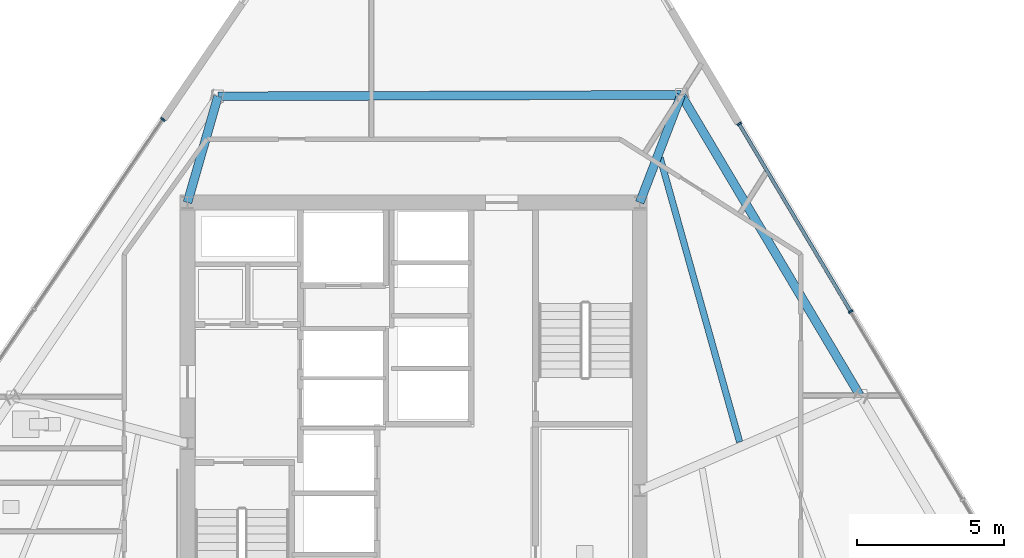
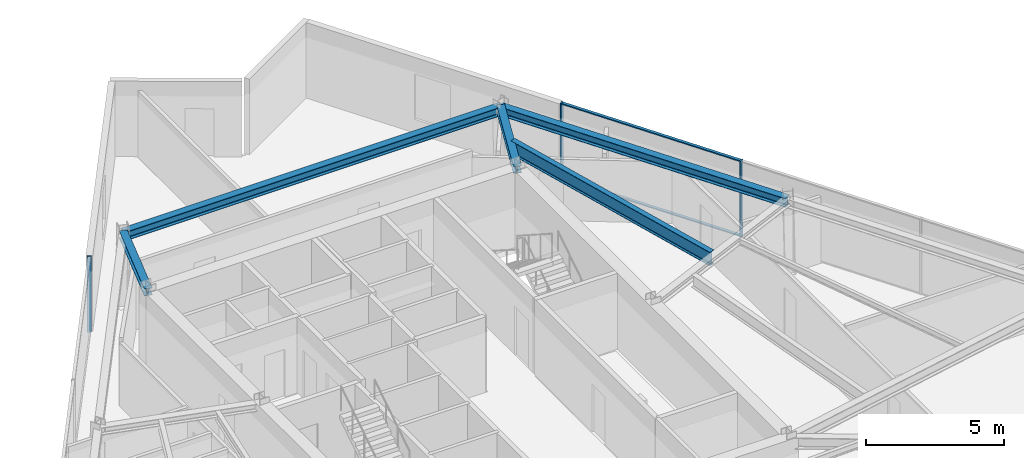
# One storey, part 6 of 14: 5 beams, 5 members, 2 elements without a shape of their own.
"""IFC4 building model written with IfcOpenShell, lengths in metres."""

from ifc_helpers import new_model, si_unit, direction, frame, origin, origin_2d, place, context, subcontext, project, spatial, rectangle, i_section, extrude, material, material_profile, profile_set, type_object, element, aggregate, save


model = new_model("IFC4")

# Units and contexts
model_context = context("Model", 3, precision=1e-05, world=origin(), true_north=direction((0.0, 1.0)))
body_context = subcontext(model_context, "Body", "Model", "MODEL_VIEW")
ifc_project = project(units=[si_unit("LENGTHUNIT", "METRE"), si_unit("AREAUNIT", "SQUARE_METRE"), si_unit("VOLUMEUNIT", "CUBIC_METRE"), si_unit("PLANEANGLEUNIT", "RADIAN"), si_unit("MASSUNIT", "GRAM", prefix="KILO")], contexts=[model_context])

# Site, building, storey
site_placement = place(None, origin())
site = spatial("IfcSite", under=ifc_project, at=site_placement, CompositionType="ELEMENT")
building_placement = place(site_placement, origin())
building = spatial("IfcBuilding", under=site, at=building_placement, Name="Savorim Split Tower", CompositionType="ELEMENT")
storey_placement = place(building_placement, frame((0.0, 0.0, 178.199951171875)))
storey = spatial("IfcBuildingStorey", under=building, at=storey_placement, Name="L47", CompositionType="ELEMENT", Elevation=178.199951171875)

# Beams
ifc_material_1 = material(Name="Steel S355", Category="steel")
ifc_material_profile_1 = material_profile(ifc_material_1, i_section(OverallWidth=0.219970703125, OverallDepth=0.60009765625, WebThickness=0.011962890625, FlangeThickness=0.01904296875, FilletRadius=0.02392578125, at=origin_2d()), Name="IPE 600")
ifc_profile_set_1 = profile_set([ifc_material_profile_1], Name="Steel S355")
beam_type_1 = type_object("IfcBeamType", Name="BM-JST-IPE600", PredefinedType="JOIST", material=ifc_profile_set_1)
beam_1_placement = place(storey_placement, frame((11.10107421875, 2.047119140625, 3.050048828125), z_axis=(-0.269391298823, 0.963030803307, 0.0), x_axis=(-0.963030803307, -0.269391298823, 0.0)))
element("IfcBeam", 1, at=beam_1_placement, inside=storey, type_object=beam_type_1, Name="L47 Secondary Floor Joist JS-07", PredefinedType="JOIST", context=body_context, shape_type="SweptSolid", body=[
    extrude(i_section(OverallWidth=0.219970703125, OverallDepth=0.60009765625, WebThickness=0.011962890625, FlangeThickness=0.01904296875, FilletRadius=0.02392578125, at=origin_2d()), origin(), (0.0, 0.0, 1.0), 10.056884765625),
])
ifc_material_profile_2 = material_profile(ifc_material_1, i_section(OverallWidth=0.300048828125, OverallDepth=0.320068359375, WebThickness=0.011474609375, FlangeThickness=0.0205078125, FilletRadius=0.027099609375, at=origin_2d()), Name="HEB 320")
ifc_profile_set_2 = profile_set([ifc_material_profile_2], Name="Steel S355")
beam_type_2 = type_object("IfcBeamType", Name="BM-PRI-HEB320", PredefinedType="BEAM", material=ifc_profile_set_2)
beam_2_placement = place(storey_placement, frame((9.110107421875, 13.86572265625, 3.18994140625), z_axis=(-0.359033227953, -0.933324777998, 0.0), x_axis=(0.933324777998, -0.359033227953, 0.0)))
element("IfcBeam", 2, at=beam_2_placement, inside=storey, type_object=beam_type_2, Name="L47 Primary Floor Girder RG-07", PredefinedType="BEAM", context=body_context, shape_type="SweptSolid", body=[
    extrude(i_section(OverallWidth=0.300048828125, OverallDepth=0.320068359375, WebThickness=0.011474609375, FlangeThickness=0.0205078125, FilletRadius=0.027099609375, at=origin_2d()), origin(), (0.0, 0.0, 1.0), 3.927734375),
])
beam_3_placement = place(storey_placement, frame((-6.660888671875, 13.81689453125, 3.18994140625), z_axis=(-0.276108926475, -0.961126350029, 0.0), x_axis=(0.961126350029, -0.276108926475, 0.0)))
element("IfcBeam", 3, at=beam_3_placement, inside=storey, type_object=beam_type_2, Name="L47 Primary Floor Girder RG-08", PredefinedType="BEAM", context=body_context, shape_type="SweptSolid", body=[
    extrude(i_section(OverallWidth=0.300048828125, OverallDepth=0.320068359375, WebThickness=0.011474609375, FlangeThickness=0.0205078125, FilletRadius=0.027099609375, at=origin_2d()), origin(), (0.0, 0.0, 1.0), 3.76318359375),
])
ifc_material_profile_3 = material_profile(ifc_material_1, i_section(OverallWidth=0.300048828125, OverallDepth=0.389892578125, WebThickness=0.010986328125, FlangeThickness=0.01904296875, FilletRadius=0.027099609375, at=origin_2d()), Name="HEA 400")
ifc_profile_set_3 = profile_set([ifc_material_profile_3], Name="Steel S355")
beam_type_3 = type_object("IfcBeamType", Name="BM-SPN-HEA400", PredefinedType="SPANDREL", material=ifc_profile_set_3)
beam_4_placement = place(storey_placement, frame((15.1875, 3.6455078125, 3.155029296875), z_axis=(-0.511106960861, 0.859517117083, 0.0), x_axis=(-0.859517117083, -0.511106960861, 0.0)))
element("IfcBeam", 4, at=beam_4_placement, inside=storey, type_object=beam_type_3, Name="L47 Perimeter Spandrel Beam 6", PredefinedType="SPANDREL", context=body_context, shape_type="SweptSolid", body=[
    extrude(i_section(OverallWidth=0.300048828125, OverallDepth=0.389892578125, WebThickness=0.010986328125, FlangeThickness=0.01904296875, FilletRadius=0.027099609375, at=origin_2d()), origin(), (0.0, 0.0, 1.0), 11.890625),
])
beam_5_placement = place(storey_placement, frame((9.110107421875, 13.86572265625, 3.155029296875), z_axis=(-0.999995207206, -0.003096056247, 0.0), x_axis=(0.003096056247, -0.999995207206, 0.0)))
element("IfcBeam", 5, at=beam_5_placement, inside=storey, type_object=beam_type_3, Name="L47 Perimeter Spandrel Beam 7", PredefinedType="SPANDREL", context=body_context, shape_type="SweptSolid", body=[
    extrude(i_section(OverallWidth=0.300048828125, OverallDepth=0.389892578125, WebThickness=0.010986328125, FlangeThickness=0.01904296875, FilletRadius=0.027099609375, at=origin_2d()), origin(), (0.0, 0.0, 1.0), 15.77099609375),
])

# Curtain wall, members
ifc_material_2 = material(Name="Dark Ceramic-Fritted Insulated Glass", Category="glass")
curtain_wall_type = type_object("IfcCurtainWallType", Name="CW-TWR-FRIT-B", PredefinedType="NOTDEFINED", material=ifc_material_2)
curtain_wall_1_placement = place(storey_placement, origin())
curtain_wall_1 = element("IfcCurtainWall", 6, at=curtain_wall_1_placement, inside=storey, type_object=curtain_wall_type, Name="L47 Curtain Wall CW-L47-EAST", PredefinedType="NOTDEFINED")
ifc_material_3 = material(Name="Charcoal Anodised Aluminium", Category="aluminium")
ifc_material_profile_4 = material_profile(ifc_material_3, rectangle(XDim=0.159912109375, YDim=0.06005859375, at=origin_2d()), Name="ALU-M 160x60")
ifc_profile_set_4 = profile_set([ifc_material_profile_4], Name="Charcoal Anodised Aluminium")
member_type_1 = type_object("IfcMemberType", Name="CWM-160x60", PredefinedType="MULLION", material=ifc_profile_set_4)
member_1_placement = place(storey_placement, frame((14.8818359375, 6.48779296875, 0.0), z_axis=(0.0, 0.0, 1.0), x_axis=(-0.85952495128, -0.511093786039, 0.0)))
member_1 = element("IfcMember", 7, at=member_1_placement, type_object=member_type_1, Name="CW-03 mullion 4", PredefinedType="MULLION", context=body_context, shape_type="SweptSolid", body=[
    extrude(rectangle(XDim=0.159912109375, YDim=0.06005859375, at=origin_2d()), origin(), (0.0, 0.0, 1.0), 3.35009765625),
])
member_2_placement = place(storey_placement, frame((11.08251953125, 12.877197265625, 0.0), z_axis=(0.0, 0.0, 1.0), x_axis=(-0.85952495128, -0.511093786039, 0.0)))
member_2 = element("IfcMember", 8, at=member_2_placement, type_object=member_type_1, Name="CW-03 mullion 5", PredefinedType="MULLION", context=body_context, shape_type="SweptSolid", body=[
    extrude(rectangle(XDim=0.159912109375, YDim=0.06005859375, at=origin_2d()), origin(), (0.0, 0.0, 1.0), 3.35009765625),
])

# Curtain wall, member
curtain_wall_2_placement = place(storey_placement, origin())
curtain_wall_2 = element("IfcCurtainWall", 9, at=curtain_wall_2_placement, inside=storey, type_object=curtain_wall_type, Name="L47 Curtain Wall CW-L47-WEST", PredefinedType="NOTDEFINED")
member_3_placement = place(storey_placement, frame((-8.533935546875, 13.028564453125, 0.0), z_axis=(0.0, 0.0, 1.0), x_axis=(0.826819248854, -0.562467714384, 0.0)))
member_3 = element("IfcMember", 10, at=member_3_placement, type_object=member_type_1, Name="CW-03 mullion 1", PredefinedType="MULLION", context=body_context, shape_type="SweptSolid", body=[
    extrude(rectangle(XDim=0.159912109375, YDim=0.06005859375, at=origin_2d()), origin(), (0.0, 0.0, 1.0), 3.35009765625),
])
aggregate(curtain_wall_2, [member_3])

# Member
ifc_material_profile_5 = material_profile(ifc_material_3, rectangle(XDim=0.1201171875, YDim=0.050048828125, at=origin_2d()), Name="ALU-T 120x50")
ifc_profile_set_5 = profile_set([ifc_material_profile_5], Name="Charcoal Anodised Aluminium")
member_type_2 = type_object("IfcMemberType", Name="CWT-120x50", PredefinedType="USERDEFINED", material=ifc_profile_set_5)
member_4_placement = place(storey_placement, frame((14.866455078125, 6.513671875, 0.025146484375), z_axis=(-0.511097871575, 0.859522521911, 0.0), x_axis=(-0.859522521911, -0.511097871575, 0.0)))
member_4 = element("IfcMember", 11, at=member_4_placement, type_object=member_type_2, Name="CW-03 transom 4.1", ObjectType="TRANSOM", PredefinedType="USERDEFINED", context=body_context, shape_type="SweptSolid", body=[
    extrude(rectangle(XDim=0.1201171875, YDim=0.050048828125, at=origin_2d()), origin(), (0.0, 0.0, 1.0), 7.37353515625),
])

member_5_placement = place(storey_placement, frame((14.866455078125, 6.513671875, 3.324951171875), z_axis=(-0.511097871575, 0.859522521911, 0.0), x_axis=(-0.859522521911, -0.511097871575, 0.0)))
member_5 = element("IfcMember", 12, at=member_5_placement, type_object=member_type_2, Name="CW-03 transom 4.2", ObjectType="TRANSOM", PredefinedType="USERDEFINED", context=body_context, shape_type="SweptSolid", body=[
    extrude(rectangle(XDim=0.1201171875, YDim=0.050048828125, at=origin_2d()), origin(), (0.0, 0.0, 1.0), 7.37353515625),
])

aggregate(curtain_wall_1, [member_1, member_2, member_4, member_5])

save(model, "model.ifc")
